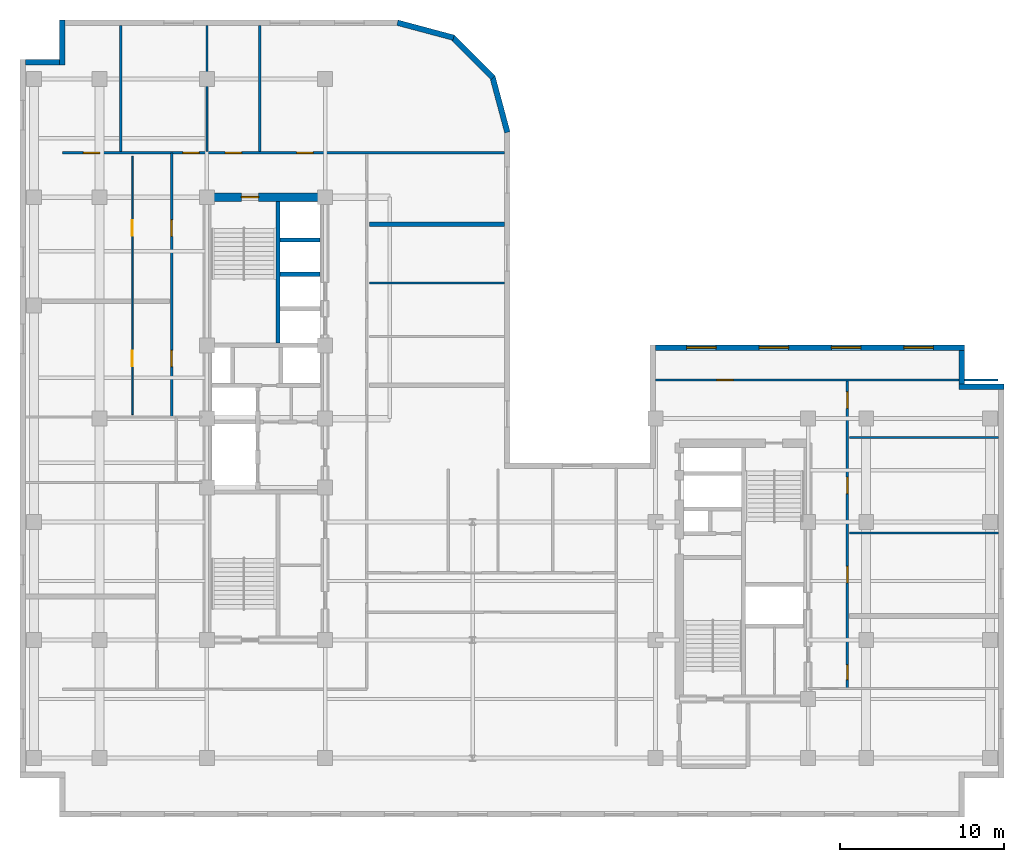
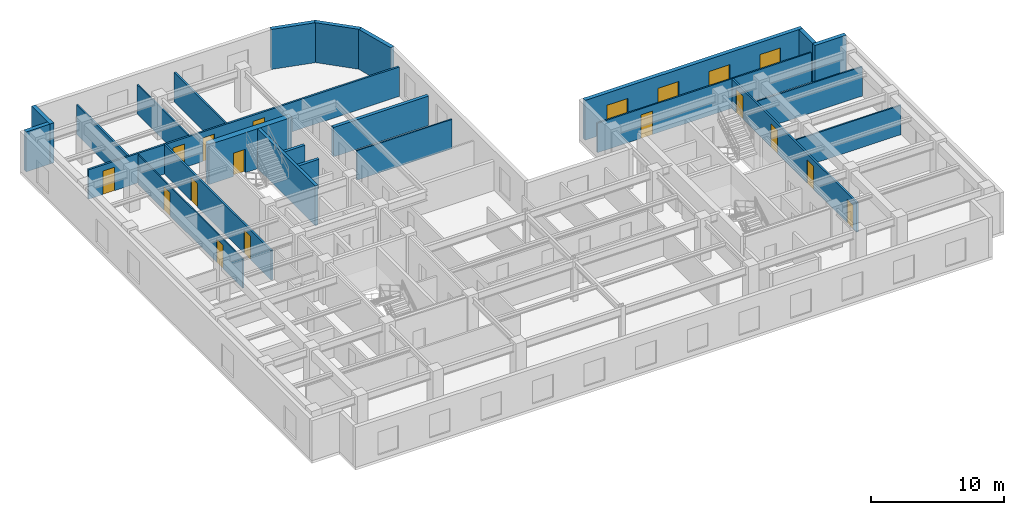
# One storey, part 7 of 11: 24 walls, 14 doors, 4 windows, 18 openings.
"""IFC4 building model written with IfcOpenShell, lengths in metres."""

from ifc_helpers import new_model, entity, si_unit, converted_unit, direction, frame, origin_with_axes, origin_2d_with_axis, place, context, subcontext, project, spatial, polyline, rectangle, outline, extrude, material, layer, layer_set, type_object, element, fill, save


model = new_model("IFC4")

# Units and contexts
model_context = context("Model", 3, precision=1e-05, world=origin_with_axes(), true_north=direction((0.0, 1.0)))
body_context = subcontext(model_context, "Body", "Model", "MODEL_VIEW")
ifc_project = project(units=[si_unit("LENGTHUNIT", "METRE"), si_unit("AREAUNIT", "SQUARE_METRE"), si_unit("VOLUMEUNIT", "CUBIC_METRE"), converted_unit("PLANEANGLEUNIT", "DEGREE", entity("IfcPlaneAngleMeasure", 0.017453292519943295), si_unit("PLANEANGLEUNIT", "RADIAN"), dimensions=[0, 0, 0, 0, 0, 0, 0]), si_unit("MASSUNIT", "GRAM", prefix="KILO"), si_unit("THERMODYNAMICTEMPERATUREUNIT", "KELVIN")], contexts=[model_context])

# Site, building, storey
site_placement = place(None, origin_with_axes())
site = spatial("IfcSite", under=ifc_project, at=site_placement, CompositionType="ELEMENT")
building_placement = place(site_placement, origin_with_axes())
building = spatial("IfcBuilding", under=site, at=building_placement, Name="Varnlund Millrace Tower", CompositionType="ELEMENT")
storey_placement = place(building_placement, frame((0.0, 0.0, 204.3), z_axis=(0.0, 0.0, 1.0), x_axis=(1.0, 0.0, 0.0)))
storey = spatial("IfcBuildingStorey", under=building, at=storey_placement, Name="L50", CompositionType="ELEMENT", Elevation=204.3)

# Wall, opening, door
ifc_material_1 = material(Name="Concrete C70/85", Category="concrete")
ifc_layer_1 = layer(ifc_material_1, 0.5, Name="Concrete C70/85")
ifc_layer_set_1 = layer_set([ifc_layer_1], Name="Concrete C70/85")
wall_type_1 = type_object("IfcWallType", Name="Type-CoreWall-Shear-500-C70", PredefinedType="SHEAR", material=ifc_layer_set_1)
wall_1_placement = place(storey_placement, frame((11.4, 37.8, 0.0), z_axis=(0.0, 0.0, 1.0), x_axis=(1.0, 0.0, 0.0)))
wall_1 = element("IfcWall", 1, at=wall_1_placement, inside=storey, type_object=wall_type_1, Name="Type-CoreWall-Shear-500-C70", PredefinedType="SHEAR", context=body_context, shape_type="SweptSolid", body=[
    extrude(outline(polyline([(0.0, -0.25), (7.2, -0.25), (7.2, 0.25), (0.0, 0.25), (0.0, -0.25)])), origin_with_axes(), (0.0, 0.0, 1.0), 3.66),
])
opening_1_placement = place(wall_1_placement, frame((2.625, 0.0, 0.0), z_axis=(0.0, 0.0, 1.0), x_axis=(1.0, 0.0, 0.0)))
opening_1 = element("IfcOpeningElement", 2, at=opening_1_placement, cuts=wall_1, Name="Opening L50:DR-STA2", PredefinedType="OPENING", context=body_context, shape_type="SweptSolid", body=[
    extrude(rectangle(XDim=1.05, YDim=0.52, at=origin_2d_with_axis()), origin_with_axes(), (0.0, 0.0, 1.0), 2.15),
])
ifc_material_2 = material(Name="Fire-rated hollow steel door", Category="steel")
door_type_1 = type_object("IfcDoorType", Name="Type-FireDoor-Stair-1050X2150", OperationType="NOTDEFINED", PredefinedType="DOOR", material=ifc_material_2)
door_1_placement = place(wall_1_placement, frame((2.625, 0.0, 0.0), z_axis=(0.0, 0.0, 1.0), x_axis=(1.0, 0.0, 0.0)))
door_1 = element("IfcDoor", 3, at=door_1_placement, inside=storey, type_object=door_type_1, Name="Type-FireDoor-Stair-1050X2150", OperationType="SINGLE_SWING_RIGHT", OverallHeight=2.15, OverallWidth=1.05, PredefinedType="DOOR", context=body_context, shape_type="SweptSolid", body=[
    extrude(rectangle(XDim=1.05, YDim=0.09, at=origin_2d_with_axis()), origin_with_axes(), (0.0, 0.0, 1.0), 2.15),
])
fill(opening_1, door_1)

# Wall, openings, windows
ifc_material_3 = material(Name="Precast concrete C50/60", Category="concrete")
ifc_layer_2 = layer(ifc_material_3, 0.34, Name="Precast concrete C50/60")
ifc_layer_set_2 = layer_set([ifc_layer_2], Name="Precast concrete C50/60")
wall_type_2 = type_object("IfcWallType", Name="Type-ExtWall-Precast-Upper-340", PredefinedType="SOLIDWALL", material=ifc_layer_set_2)
wall_2_placement = place(storey_placement, frame((38.74, 28.63, 0.0), z_axis=(0.0, 0.0, 1.0), x_axis=(1.0, 0.0, 0.0)))
wall_2 = element("IfcWall", 4, at=wall_2_placement, inside=storey, type_object=wall_type_2, Name="Type-ExtWall-Precast-Upper-340", PredefinedType="SOLIDWALL", context=body_context, shape_type="SweptSolid", body=[
    extrude(outline(polyline([(0.0, -0.17), (18.86, -0.17), (18.86, 0.17), (0.0, 0.17), (0.0, -0.17)])), origin_with_axes(), (0.0, 0.0, 1.0), 3.66),
])
opening_2_placement = place(wall_2_placement, frame((2.808, 0.0, 0.45), z_axis=(0.0, 0.0, 1.0), x_axis=(1.0, 0.0, 0.0)))
opening_2 = element("IfcOpeningElement", 5, at=opening_2_placement, cuts=wall_2, Name="Opening L50:WN-01", PredefinedType="OPENING", context=body_context, shape_type="SweptSolid", body=[
    extrude(rectangle(XDim=1.8, YDim=0.36, at=origin_2d_with_axis()), origin_with_axes(), (0.0, 0.0, 1.0), 2.1),
])
opening_3_placement = place(wall_2_placement, frame((7.222, 0.0, 0.45), z_axis=(0.0, 0.0, 1.0), x_axis=(1.0, 0.0, 0.0)))
opening_3 = element("IfcOpeningElement", 6, at=opening_3_placement, cuts=wall_2, Name="Opening L50:WN-02", PredefinedType="OPENING", context=body_context, shape_type="SweptSolid", body=[
    extrude(rectangle(XDim=1.8, YDim=0.36, at=origin_2d_with_axis()), origin_with_axes(), (0.0, 0.0, 1.0), 2.1),
])
opening_4_placement = place(wall_2_placement, frame((11.637, 0.0, 0.45), z_axis=(0.0, 0.0, 1.0), x_axis=(1.0, 0.0, 0.0)))
opening_4 = element("IfcOpeningElement", 7, at=opening_4_placement, cuts=wall_2, Name="Opening L50:WN-03", PredefinedType="OPENING", context=body_context, shape_type="SweptSolid", body=[
    extrude(rectangle(XDim=1.8, YDim=0.36, at=origin_2d_with_axis()), origin_with_axes(), (0.0, 0.0, 1.0), 2.1),
])
opening_5_placement = place(wall_2_placement, frame((16.053, 0.0, 0.45), z_axis=(0.0, 0.0, 1.0), x_axis=(1.0, 0.0, 0.0)))
opening_5 = element("IfcOpeningElement", 8, at=opening_5_placement, cuts=wall_2, Name="Opening L50:WN-04", PredefinedType="OPENING", context=body_context, shape_type="SweptSolid", body=[
    extrude(rectangle(XDim=1.8, YDim=0.36, at=origin_2d_with_axis()), origin_with_axes(), (0.0, 0.0, 1.0), 2.1),
])
ifc_material_4 = material(Name="Argon low-e triple glazing in thermally broken bronze frame", Category="glass")
window_type = type_object("IfcWindowType", Name="Type-Window-Punched-1800X2100", PartitioningType="SINGLE_PANEL", PredefinedType="WINDOW", material=ifc_material_4)
window_1_placement = place(wall_2_placement, frame((2.808, 0.0, 0.45), z_axis=(0.0, 0.0, 1.0), x_axis=(1.0, 0.0, 0.0)))
window_1 = element("IfcWindow", 9, at=window_1_placement, inside=storey, type_object=window_type, Name="Type-Window-Punched-1800X2100", OverallHeight=2.1, OverallWidth=1.8, PredefinedType="WINDOW", context=body_context, shape_type="SweptSolid", body=[
    extrude(rectangle(XDim=1.8, YDim=0.09, at=origin_2d_with_axis()), origin_with_axes(), (0.0, 0.0, 1.0), 2.1),
])
fill(opening_2, window_1)
window_2_placement = place(wall_2_placement, frame((7.222, 0.0, 0.45), z_axis=(0.0, 0.0, 1.0), x_axis=(1.0, 0.0, 0.0)))
window_2 = element("IfcWindow", 10, at=window_2_placement, inside=storey, type_object=window_type, Name="Type-Window-Punched-1800X2100", OverallHeight=2.1, OverallWidth=1.8, PredefinedType="WINDOW", context=body_context, shape_type="SweptSolid", body=[
    extrude(rectangle(XDim=1.8, YDim=0.09, at=origin_2d_with_axis()), origin_with_axes(), (0.0, 0.0, 1.0), 2.1),
])
fill(opening_3, window_2)
window_3_placement = place(wall_2_placement, frame((11.637, 0.0, 0.45), z_axis=(0.0, 0.0, 1.0), x_axis=(1.0, 0.0, 0.0)))
window_3 = element("IfcWindow", 11, at=window_3_placement, inside=storey, type_object=window_type, Name="Type-Window-Punched-1800X2100", OverallHeight=2.1, OverallWidth=1.8, PredefinedType="WINDOW", context=body_context, shape_type="SweptSolid", body=[
    extrude(rectangle(XDim=1.8, YDim=0.09, at=origin_2d_with_axis()), origin_with_axes(), (0.0, 0.0, 1.0), 2.1),
])
fill(opening_4, window_3)
window_4_placement = place(wall_2_placement, frame((16.053, 0.0, 0.45), z_axis=(0.0, 0.0, 1.0), x_axis=(1.0, 0.0, 0.0)))
window_4 = element("IfcWindow", 12, at=window_4_placement, inside=storey, type_object=window_type, Name="Type-Window-Punched-1800X2100", OverallHeight=2.1, OverallWidth=1.8, PredefinedType="WINDOW", context=body_context, shape_type="SweptSolid", body=[
    extrude(rectangle(XDim=1.8, YDim=0.09, at=origin_2d_with_axis()), origin_with_axes(), (0.0, 0.0, 1.0), 2.1),
])
fill(opening_5, window_4)

# Walls
wall_3_placement = place(storey_placement, frame((57.43, 28.46, 0.0), z_axis=(0.0, 0.0, 1.0), x_axis=(0.0, -1.0, 0.0)))
element("IfcWall", 13, at=wall_3_placement, inside=storey, type_object=wall_type_2, Name="Type-ExtWall-Precast-Upper-340", PredefinedType="SOLIDWALL", context=body_context, shape_type="SweptSolid", body=[
    extrude(outline(polyline([(0.0, -0.17), (2.06, -0.17), (2.06, 0.17), (0.0, 0.17), (0.0, -0.17)])), origin_with_axes(), (0.0, 0.0, 1.0), 3.66),
])
wall_4_placement = place(storey_placement, frame((57.26, 26.23, 0.0), z_axis=(0.0, 0.0, 1.0), x_axis=(1.0, 0.0, 0.0)))
element("IfcWall", 14, at=wall_4_placement, inside=storey, type_object=wall_type_2, Name="Type-ExtWall-Precast-Upper-340", PredefinedType="SOLIDWALL", context=body_context, shape_type="SweptSolid", body=[
    extrude(outline(polyline([(0.0, -0.17), (2.74, -0.17), (2.74, 0.17), (0.0, 0.17), (0.0, -0.17)])), origin_with_axes(), (0.0, 0.0, 1.0), 3.66),
])
wall_5_placement = place(storey_placement, frame((0.34, 46.03, 0.0), z_axis=(0.0, 0.0, 1.0), x_axis=(1.0, 0.0, 0.0)))
element("IfcWall", 15, at=wall_5_placement, inside=storey, type_object=wall_type_2, Name="Type-ExtWall-Precast-Upper-340", PredefinedType="SOLIDWALL", context=body_context, shape_type="SweptSolid", body=[
    extrude(outline(polyline([(0.0, -0.17), (2.06, -0.17), (2.06, 0.17), (0.0, 0.17), (0.0, -0.17)])), origin_with_axes(), (0.0, 0.0, 1.0), 3.66),
])
wall_6_placement = place(storey_placement, frame((2.57, 45.86, 0.0), z_axis=(0.0, 0.0, 1.0), x_axis=(0.0, 1.0, 0.0)))
element("IfcWall", 16, at=wall_6_placement, inside=storey, type_object=wall_type_2, Name="Type-ExtWall-Precast-Upper-340", PredefinedType="SOLIDWALL", context=body_context, shape_type="SweptSolid", body=[
    extrude(outline(polyline([(0.0, -0.17), (2.74, -0.17), (2.74, 0.17), (0.0, 0.17), (0.0, -0.17)])), origin_with_axes(), (0.0, 0.0, 1.0), 3.66),
])
wall_7_placement = place(storey_placement, frame((23.018, 48.441, 0.0), z_axis=(0.0, 0.0, 1.0), x_axis=(0.965934, -0.258788, 0.0)))
element("IfcWall", 17, at=wall_7_placement, inside=storey, type_object=wall_type_2, Name="Type-ExtWall-Precast-Upper-340", PredefinedType="SOLIDWALL", context=body_context, shape_type="SweptSolid", body=[
    extrude(outline(polyline([(0.0, -0.17), (3.539579, -0.17), (3.539579, 0.17), (0.0, 0.17), (0.0, -0.17)])), origin_with_axes(), (0.0, 0.0, 1.0), 3.66),
])
wall_8_placement = place(storey_placement, frame((26.347, 47.583, 0.0), z_axis=(0.0, 0.0, 1.0), x_axis=(0.707107, -0.707107, 0.0)))
element("IfcWall", 18, at=wall_8_placement, inside=storey, type_object=wall_type_2, Name="Type-ExtWall-Precast-Upper-340", PredefinedType="SOLIDWALL", context=body_context, shape_type="SweptSolid", body=[
    extrude(outline(polyline([(0.0, -0.17), (3.539777, -0.17), (3.539777, 0.17), (0.0, 0.17), (0.0, -0.17)])), origin_with_axes(), (0.0, 0.0, 1.0), 3.66),
])
wall_9_placement = place(storey_placement, frame((28.801, 45.175, 0.0), z_axis=(0.0, 0.0, 1.0), x_axis=(0.258788, -0.965934, 0.0)))
element("IfcWall", 19, at=wall_9_placement, inside=storey, type_object=wall_type_2, Name="Type-ExtWall-Precast-Upper-340", PredefinedType="SOLIDWALL", context=body_context, shape_type="SweptSolid", body=[
    extrude(outline(polyline([(0.0, -0.17), (3.539579, -0.17), (3.539579, 0.17), (0.0, 0.17), (0.0, -0.17)])), origin_with_axes(), (0.0, 0.0, 1.0), 3.66),
])
ifc_material_5 = material(Name="Double-stud STC-60 conference acoustic partition", Category="gypsum")
ifc_layer_3 = layer(ifc_material_5, 0.28, Name="Double-stud STC-60 conference acoustic partition")
ifc_layer_set_3 = layer_set([ifc_layer_3], Name="Double-stud STC-60 conference acoustic partition")
wall_type_3 = type_object("IfcWallType", Name="Type-Partition-Acoustic-280", PredefinedType="PARTITIONING", material=ifc_layer_set_3)
wall_10_placement = place(storey_placement, frame((21.3, 36.163, 0.0), z_axis=(0.0, 0.0, 1.0), x_axis=(1.0, 0.0, 0.0)))
element("IfcWall", 20, at=wall_10_placement, inside=storey, type_object=wall_type_3, Name="Type-Partition-Acoustic-280", PredefinedType="PARTITIONING", context=body_context, shape_type="SweptSolid", body=[
    extrude(outline(polyline([(0.0, -0.14), (8.246, -0.14), (8.246, 0.14), (0.0, 0.14), (0.0, -0.14)])), origin_with_axes(), (0.0, 0.0, 1.0), 2.7),
])

# Wall, openings, doors
ifc_material_6 = material(Name="Fire-rated gypsum board on cold-formed steel framing", Category="steel")
ifc_layer_4 = layer(ifc_material_6, 0.16, Name="Fire-rated gypsum board on cold-formed steel framing")
ifc_layer_set_4 = layer_set([ifc_layer_4], Name="Fire-rated gypsum board on cold-formed steel framing")
wall_type_4 = type_object("IfcWallType", Name="Type-Partition-Corridor-160", PredefinedType="PARTITIONING", material=ifc_layer_set_4)
wall_11_placement = place(storey_placement, frame((2.6, 40.5, 0.0), z_axis=(0.0, 0.0, 1.0), x_axis=(1.0, 0.0, 0.0)))
wall_11 = element("IfcWall", 21, at=wall_11_placement, inside=storey, type_object=wall_type_4, Name="Type-Partition-Corridor-160", PredefinedType="PARTITIONING", context=body_context, shape_type="SweptSolid", body=[
    extrude(outline(polyline([(0.0, -0.08), (26.946, -0.08), (26.946, 0.08), (0.0, 0.08), (0.0, -0.08)])), origin_with_axes(), (0.0, 0.0, 1.0), 2.7),
])
opening_6_placement = place(wall_11_placement, frame((1.7685, 0.0, 0.0), z_axis=(0.0, 0.0, 1.0), x_axis=(1.0, 0.0, 0.0)))
opening_6 = element("IfcOpeningElement", 22, at=opening_6_placement, cuts=wall_11, Name="Opening L50:DR-WAN-01", PredefinedType="OPENING", context=body_context, shape_type="SweptSolid", body=[
    extrude(rectangle(XDim=1.0, YDim=0.18, at=origin_2d_with_axis()), origin_with_axes(), (0.0, 0.0, 1.0), 2.15),
])
opening_7_placement = place(wall_11_placement, frame((7.824, 0.0, 0.0), z_axis=(0.0, 0.0, 1.0), x_axis=(1.0, 0.0, 0.0)))
opening_7 = element("IfcOpeningElement", 23, at=opening_7_placement, cuts=wall_11, Name="Opening L50:DR-WAN-02", PredefinedType="OPENING", context=body_context, shape_type="SweptSolid", body=[
    extrude(rectangle(XDim=1.0, YDim=0.18, at=origin_2d_with_axis()), origin_with_axes(), (0.0, 0.0, 1.0), 2.15),
])
opening_8_placement = place(wall_11_placement, frame((10.411, 0.0, 0.0), z_axis=(0.0, 0.0, 1.0), x_axis=(1.0, 0.0, 0.0)))
opening_8 = element("IfcOpeningElement", 24, at=opening_8_placement, cuts=wall_11, Name="Opening L50:DR-WAN-03", PredefinedType="OPENING", context=body_context, shape_type="SweptSolid", body=[
    extrude(rectangle(XDim=1.0, YDim=0.18, at=origin_2d_with_axis()), origin_with_axes(), (0.0, 0.0, 1.0), 2.15),
])
opening_9_placement = place(wall_11_placement, frame((14.771, 0.0, 0.0), z_axis=(0.0, 0.0, 1.0), x_axis=(1.0, 0.0, 0.0)))
opening_9 = element("IfcOpeningElement", 25, at=opening_9_placement, cuts=wall_11, Name="Opening L50:DR-WAN-04", PredefinedType="OPENING", context=body_context, shape_type="SweptSolid", body=[
    extrude(rectangle(XDim=1.0, YDim=0.18, at=origin_2d_with_axis()), origin_with_axes(), (0.0, 0.0, 1.0), 2.15),
])
ifc_material_7 = material(Name="Solid-core white oak and bronze frame door")
door_type_2 = type_object("IfcDoorType", Name="Type-IntDoor-Office-1000X2150", OperationType="NOTDEFINED", PredefinedType="DOOR", material=ifc_material_7)
door_2_placement = place(wall_11_placement, frame((1.7685, 0.0, 0.0), z_axis=(0.0, 0.0, 1.0), x_axis=(1.0, 0.0, 0.0)))
door_2 = element("IfcDoor", 26, at=door_2_placement, inside=storey, type_object=door_type_2, Name="Type-IntDoor-Office-1000X2150", OperationType="SINGLE_SWING_LEFT", OverallHeight=2.15, OverallWidth=1.0, PredefinedType="DOOR", context=body_context, shape_type="SweptSolid", body=[
    extrude(rectangle(XDim=1.0, YDim=0.09, at=origin_2d_with_axis()), origin_with_axes(), (0.0, 0.0, 1.0), 2.15),
])
fill(opening_6, door_2)
door_3_placement = place(wall_11_placement, frame((7.824, 0.0, 0.0), z_axis=(0.0, 0.0, 1.0), x_axis=(1.0, 0.0, 0.0)))
door_3 = element("IfcDoor", 27, at=door_3_placement, inside=storey, type_object=door_type_2, Name="Type-IntDoor-Office-1000X2150", OperationType="SINGLE_SWING_RIGHT", OverallHeight=2.15, OverallWidth=1.0, PredefinedType="DOOR", context=body_context, shape_type="SweptSolid", body=[
    extrude(rectangle(XDim=1.0, YDim=0.09, at=origin_2d_with_axis()), origin_with_axes(), (0.0, 0.0, 1.0), 2.15),
])
fill(opening_7, door_3)
door_4_placement = place(wall_11_placement, frame((10.411, 0.0, 0.0), z_axis=(0.0, 0.0, 1.0), x_axis=(1.0, 0.0, 0.0)))
door_4 = element("IfcDoor", 28, at=door_4_placement, inside=storey, type_object=door_type_2, Name="Type-IntDoor-Office-1000X2150", OperationType="SINGLE_SWING_LEFT", OverallHeight=2.15, OverallWidth=1.0, PredefinedType="DOOR", context=body_context, shape_type="SweptSolid", body=[
    extrude(rectangle(XDim=1.0, YDim=0.09, at=origin_2d_with_axis()), origin_with_axes(), (0.0, 0.0, 1.0), 2.15),
])
fill(opening_8, door_4)
door_5_placement = place(wall_11_placement, frame((14.771, 0.0, 0.0), z_axis=(0.0, 0.0, 1.0), x_axis=(1.0, 0.0, 0.0)))
door_5 = element("IfcDoor", 29, at=door_5_placement, inside=storey, type_object=door_type_2, Name="Type-IntDoor-Office-1000X2150", OperationType="SINGLE_SWING_RIGHT", OverallHeight=2.15, OverallWidth=1.0, PredefinedType="DOOR", context=body_context, shape_type="SweptSolid", body=[
    extrude(rectangle(XDim=1.0, YDim=0.09, at=origin_2d_with_axis()), origin_with_axes(), (0.0, 0.0, 1.0), 2.15),
])
fill(opening_9, door_5)

wall_12_placement = place(storey_placement, frame((9.25, 24.4, 0.0), z_axis=(0.0, 0.0, 1.0), x_axis=(0.0, 1.0, 0.0)))
wall_12 = element("IfcWall", 30, at=wall_12_placement, inside=storey, type_object=wall_type_4, Name="Type-Partition-Corridor-160", PredefinedType="PARTITIONING", context=body_context, shape_type="SweptSolid", body=[
    extrude(outline(polyline([(0.0, -0.08), (16.1, -0.08), (16.1, 0.08), (0.0, 0.08), (0.0, -0.08)])), origin_with_axes(), (0.0, 0.0, 1.0), 2.7),
])
opening_10_placement = place(wall_12_placement, frame((3.5675, 0.0, 0.0), z_axis=(0.0, 0.0, 1.0), x_axis=(1.0, 0.0, 0.0)))
opening_10 = element("IfcOpeningElement", 31, at=opening_10_placement, cuts=wall_12, Name="Opening L50:DR-WN-01", PredefinedType="OPENING", context=body_context, shape_type="SweptSolid", body=[
    extrude(rectangle(XDim=1.0, YDim=0.18, at=origin_2d_with_axis()), origin_with_axes(), (0.0, 0.0, 1.0), 2.15),
])
opening_11_placement = place(wall_12_placement, frame((11.5125, 0.0, 0.0), z_axis=(0.0, 0.0, 1.0), x_axis=(1.0, 0.0, 0.0)))
opening_11 = element("IfcOpeningElement", 32, at=opening_11_placement, cuts=wall_12, Name="Opening L50:DR-WN-02", PredefinedType="OPENING", context=body_context, shape_type="SweptSolid", body=[
    extrude(rectangle(XDim=1.0, YDim=0.18, at=origin_2d_with_axis()), origin_with_axes(), (0.0, 0.0, 1.0), 2.15),
])
door_6_placement = place(wall_12_placement, frame((3.5675, 0.0, 0.0), z_axis=(0.0, 0.0, 1.0), x_axis=(1.0, 0.0, 0.0)))
door_6 = element("IfcDoor", 33, at=door_6_placement, inside=storey, type_object=door_type_2, Name="Type-IntDoor-Office-1000X2150", OperationType="SINGLE_SWING_LEFT", OverallHeight=2.15, OverallWidth=1.0, PredefinedType="DOOR", context=body_context, shape_type="SweptSolid", body=[
    extrude(rectangle(XDim=1.0, YDim=0.09, at=origin_2d_with_axis()), origin_with_axes(), (0.0, 0.0, 1.0), 2.15),
])
fill(opening_10, door_6)
door_7_placement = place(wall_12_placement, frame((11.5125, 0.0, 0.0), z_axis=(0.0, 0.0, 1.0), x_axis=(1.0, 0.0, 0.0)))
door_7 = element("IfcDoor", 34, at=door_7_placement, inside=storey, type_object=door_type_2, Name="Type-IntDoor-Office-1000X2150", OperationType="SINGLE_SWING_RIGHT", OverallHeight=2.15, OverallWidth=1.0, PredefinedType="DOOR", context=body_context, shape_type="SweptSolid", body=[
    extrude(rectangle(XDim=1.0, YDim=0.09, at=origin_2d_with_axis()), origin_with_axes(), (0.0, 0.0, 1.0), 2.15),
])
fill(opening_11, door_7)

wall_13_placement = place(storey_placement, frame((50.45, 7.85, 0.0), z_axis=(0.0, 0.0, 1.0), x_axis=(0.0, 1.0, 0.0)))
wall_13 = element("IfcWall", 35, at=wall_13_placement, inside=storey, type_object=wall_type_4, Name="Type-Partition-Corridor-160", PredefinedType="PARTITIONING", context=body_context, shape_type="SweptSolid", body=[
    extrude(outline(polyline([(0.0, -0.08), (18.8, -0.08), (18.8, 0.08), (0.0, 0.08), (0.0, -0.08)])), origin_with_axes(), (0.0, 0.0, 1.0), 2.7),
])
opening_12_placement = place(wall_13_placement, frame((0.987, 0.0, 0.0), z_axis=(0.0, 0.0, 1.0), x_axis=(1.0, 0.0, 0.0)))
opening_12 = element("IfcOpeningElement", 36, at=opening_12_placement, cuts=wall_13, Name="Opening L50:DR-WB-01", PredefinedType="OPENING", context=body_context, shape_type="SweptSolid", body=[
    extrude(rectangle(XDim=0.9, YDim=0.18, at=origin_2d_with_axis()), origin_with_axes(), (0.0, 0.0, 1.0), 2.15),
])
opening_13_placement = place(wall_13_placement, frame((6.94, 0.0, 0.0), z_axis=(0.0, 0.0, 1.0), x_axis=(1.0, 0.0, 0.0)))
opening_13 = element("IfcOpeningElement", 37, at=opening_13_placement, cuts=wall_13, Name="Opening L50:DR-WB-02", PredefinedType="OPENING", context=body_context, shape_type="SweptSolid", body=[
    extrude(rectangle(XDim=1.0, YDim=0.18, at=origin_2d_with_axis()), origin_with_axes(), (0.0, 0.0, 1.0), 2.15),
])
opening_14_placement = place(wall_13_placement, frame((12.3795, 0.0, 0.0), z_axis=(0.0, 0.0, 1.0), x_axis=(1.0, 0.0, 0.0)))
opening_14 = element("IfcOpeningElement", 38, at=opening_14_placement, cuts=wall_13, Name="Opening L50:DR-WB-03", PredefinedType="OPENING", context=body_context, shape_type="SweptSolid", body=[
    extrude(rectangle(XDim=1.0, YDim=0.18, at=origin_2d_with_axis()), origin_with_axes(), (0.0, 0.0, 1.0), 2.15),
])
opening_15_placement = place(wall_13_placement, frame((17.576, 0.0, 0.0), z_axis=(0.0, 0.0, 1.0), x_axis=(1.0, 0.0, 0.0)))
opening_15 = element("IfcOpeningElement", 39, at=opening_15_placement, cuts=wall_13, Name="Opening L50:DR-WB-04", PredefinedType="OPENING", context=body_context, shape_type="SweptSolid", body=[
    extrude(rectangle(XDim=1.0, YDim=0.18, at=origin_2d_with_axis()), origin_with_axes(), (0.0, 0.0, 1.0), 2.15),
])
ifc_material_8 = material(Name="Painted steel riser and closet door", Category="steel")
door_type_3 = type_object("IfcDoorType", Name="Type-IntDoor-Closet-900X2150", OperationType="NOTDEFINED", PredefinedType="DOOR", material=ifc_material_8)
door_8_placement = place(wall_13_placement, frame((0.987, 0.0, 0.0), z_axis=(0.0, 0.0, 1.0), x_axis=(1.0, 0.0, 0.0)))
door_8 = element("IfcDoor", 40, at=door_8_placement, inside=storey, type_object=door_type_3, Name="Type-IntDoor-Closet-900X2150", OperationType="SINGLE_SWING_LEFT", OverallHeight=2.15, OverallWidth=0.9, PredefinedType="DOOR", context=body_context, shape_type="SweptSolid", body=[
    extrude(rectangle(XDim=0.9, YDim=0.09, at=origin_2d_with_axis()), origin_with_axes(), (0.0, 0.0, 1.0), 2.15),
])
fill(opening_12, door_8)
door_9_placement = place(wall_13_placement, frame((6.94, 0.0, 0.0), z_axis=(0.0, 0.0, 1.0), x_axis=(1.0, 0.0, 0.0)))
door_9 = element("IfcDoor", 41, at=door_9_placement, inside=storey, type_object=door_type_2, Name="Type-IntDoor-Office-1000X2150", OperationType="SINGLE_SWING_RIGHT", OverallHeight=2.15, OverallWidth=1.0, PredefinedType="DOOR", context=body_context, shape_type="SweptSolid", body=[
    extrude(rectangle(XDim=1.0, YDim=0.09, at=origin_2d_with_axis()), origin_with_axes(), (0.0, 0.0, 1.0), 2.15),
])
fill(opening_13, door_9)
door_10_placement = place(wall_13_placement, frame((12.3795, 0.0, 0.0), z_axis=(0.0, 0.0, 1.0), x_axis=(1.0, 0.0, 0.0)))
door_10 = element("IfcDoor", 42, at=door_10_placement, inside=storey, type_object=door_type_2, Name="Type-IntDoor-Office-1000X2150", OperationType="SINGLE_SWING_LEFT", OverallHeight=2.15, OverallWidth=1.0, PredefinedType="DOOR", context=body_context, shape_type="SweptSolid", body=[
    extrude(rectangle(XDim=1.0, YDim=0.09, at=origin_2d_with_axis()), origin_with_axes(), (0.0, 0.0, 1.0), 2.15),
])
fill(opening_14, door_10)
door_11_placement = place(wall_13_placement, frame((17.576, 0.0, 0.0), z_axis=(0.0, 0.0, 1.0), x_axis=(1.0, 0.0, 0.0)))
door_11 = element("IfcDoor", 43, at=door_11_placement, inside=storey, type_object=door_type_2, Name="Type-IntDoor-Office-1000X2150", OperationType="SINGLE_SWING_RIGHT", OverallHeight=2.15, OverallWidth=1.0, PredefinedType="DOOR", context=body_context, shape_type="SweptSolid", body=[
    extrude(rectangle(XDim=1.0, YDim=0.09, at=origin_2d_with_axis()), origin_with_axes(), (0.0, 0.0, 1.0), 2.15),
])
fill(opening_15, door_11)

# Walls
ifc_material_9 = material(Name="Acoustic STC-50 gypsum board partition", Category="gypsum")
ifc_layer_5 = layer(ifc_material_9, 0.15, Name="Acoustic STC-50 gypsum board partition")
ifc_layer_set_5 = layer_set([ifc_layer_5], Name="Acoustic STC-50 gypsum board partition")
wall_type_5 = type_object("IfcWallType", Name="Type-Partition-Demising-150", PredefinedType="PARTITIONING", material=ifc_layer_set_5)
for number, where, z_axis, x_axis, name in (
    (44, (6.147, 40.6, 0.0), (0.0, 0.0, 1.0), (0.0, 1.0, 0.0), "Type-Partition-Demising-150"),
    (45, (14.622, 40.6, 0.0), (0.0, 0.0, 1.0), (0.0, 1.0, 0.0), "Type-Partition-Demising-150"),
):
    element("IfcWall", number, at=place(storey_placement, frame(where, z_axis=z_axis, x_axis=x_axis)), inside=storey, type_object=wall_type_5, Name=name, PredefinedType="PARTITIONING", context=body_context, shape_type="SweptSolid", body=[
        extrude(outline(polyline([(0.0, -0.075), (7.665, -0.075), (7.665, 0.075), (0.0, 0.075), (0.0, -0.075)])), origin_with_axes(), (0.0, 0.0, 1.0), 2.7),
    ])

# Wall, openings, doors
ifc_material_10 = material(Name="Architectural bronze and acoustic glass office front", Category="glass")
ifc_layer_6 = layer(ifc_material_10, 0.1, Name="Architectural bronze and acoustic glass office front")
ifc_layer_set_6 = layer_set([ifc_layer_6], Name="Architectural bronze and acoustic glass office front")
wall_type_6 = type_object("IfcWallType", Name="Type-Partition-Glazed-100", PredefinedType="PARTITIONING", material=ifc_layer_set_6)
wall_14_placement = place(storey_placement, frame((6.85, 24.55, 0.0), z_axis=(0.0, 0.0, 1.0), x_axis=(0.0, 1.0, 0.0)))
wall_14 = element("IfcWall", 46, at=wall_14_placement, inside=storey, type_object=wall_type_6, Name="Type-Partition-Glazed-100", PredefinedType="PARTITIONING", context=body_context, shape_type="SweptSolid", body=[
    extrude(outline(polyline([(0.0, -0.05), (15.75, -0.05), (15.75, 0.05), (0.0, 0.05), (0.0, -0.05)])), origin_with_axes(), (0.0, 0.0, 1.0), 2.7),
])
opening_16_placement = place(wall_14_placement, frame((3.4175, 0.0, 0.0), z_axis=(0.0, 0.0, 1.0), x_axis=(1.0, 0.0, 0.0)))
opening_16 = element("IfcOpeningElement", 47, at=opening_16_placement, cuts=wall_14, Name="Opening L50:DR-WN-S01", PredefinedType="OPENING", context=body_context, shape_type="SweptSolid", body=[
    extrude(rectangle(XDim=0.95, YDim=0.12, at=origin_2d_with_axis()), origin_with_axes(), (0.0, 0.0, 1.0), 2.15),
])
opening_17_placement = place(wall_14_placement, frame((11.3625, 0.0, 0.0), z_axis=(0.0, 0.0, 1.0), x_axis=(1.0, 0.0, 0.0)))
opening_17 = element("IfcOpeningElement", 48, at=opening_17_placement, cuts=wall_14, Name="Opening L50:DR-WN-S02", PredefinedType="OPENING", context=body_context, shape_type="SweptSolid", body=[
    extrude(rectangle(XDim=0.95, YDim=0.12, at=origin_2d_with_axis()), origin_with_axes(), (0.0, 0.0, 1.0), 2.15),
])
ifc_material_11 = material(Name="Solid-core acoustic office door")
door_type_4 = type_object("IfcDoorType", Name="Type-IntDoor-Tenant-950X2150", OperationType="NOTDEFINED", PredefinedType="DOOR", material=ifc_material_11)
door_12_placement = place(wall_14_placement, frame((3.4175, 0.0, 0.0), z_axis=(0.0, 0.0, 1.0), x_axis=(1.0, 0.0, 0.0)))
door_12 = element("IfcDoor", 49, at=door_12_placement, inside=storey, type_object=door_type_4, Name="Type-IntDoor-Tenant-950X2150", OperationType="SINGLE_SWING_LEFT", OverallHeight=2.15, OverallWidth=0.95, PredefinedType="DOOR", context=body_context, shape_type="SweptSolid", body=[
    extrude(rectangle(XDim=0.95, YDim=0.06, at=origin_2d_with_axis()), origin_with_axes(), (0.0, 0.0, 1.0), 2.15),
])
fill(opening_16, door_12)
door_13_placement = place(wall_14_placement, frame((11.3625, 0.0, 0.0), z_axis=(0.0, 0.0, 1.0), x_axis=(1.0, 0.0, 0.0)))
door_13 = element("IfcDoor", 50, at=door_13_placement, inside=storey, type_object=door_type_4, Name="Type-IntDoor-Tenant-950X2150", OperationType="SINGLE_SWING_LEFT", OverallHeight=2.15, OverallWidth=0.95, PredefinedType="DOOR", context=body_context, shape_type="SweptSolid", body=[
    extrude(rectangle(XDim=0.95, YDim=0.06, at=origin_2d_with_axis()), origin_with_axes(), (0.0, 0.0, 1.0), 2.15),
])
fill(opening_17, door_13)

# Walls
ifc_material_12 = material(Name="Gypsum board tenant partition", Category="gypsum")
ifc_layer_7 = layer(ifc_material_12, 0.125, Name="Gypsum board tenant partition")
ifc_layer_set_7 = layer_set([ifc_layer_7], Name="Gypsum board tenant partition")
wall_type_7 = type_object("IfcWallType", Name="Type-Partition-Tenant-125", PredefinedType="PARTITIONING", material=ifc_layer_set_7)
wall_15_placement = place(storey_placement, frame((11.4, 40.6, 0.0), z_axis=(0.0, 0.0, 1.0), x_axis=(0.0, 1.0, 0.0)))
element("IfcWall", 51, at=wall_15_placement, inside=storey, type_object=wall_type_7, Name="Type-Partition-Tenant-125", PredefinedType="PARTITIONING", context=body_context, shape_type="SweptSolid", body=[
    extrude(outline(polyline([(0.0, -0.0625), (7.665, -0.0625), (7.665, 0.0625), (0.0, 0.0625), (0.0, -0.0625)])), origin_with_axes(), (0.0, 0.0, 1.0), 2.7),
])
wall_16_placement = place(storey_placement, frame((21.3, 32.565, 0.0), z_axis=(0.0, 0.0, 1.0), x_axis=(1.0, 0.0, 0.0)))
element("IfcWall", 52, at=wall_16_placement, inside=storey, type_object=wall_type_7, Name="Type-Partition-Tenant-125", PredefinedType="PARTITIONING", context=body_context, shape_type="SweptSolid", body=[
    extrude(outline(polyline([(0.0, -0.0625), (8.246, -0.0625), (8.246, 0.0625), (0.0, 0.0625), (0.0, -0.0625)])), origin_with_axes(), (0.0, 0.0, 1.0), 2.7),
])

# Wall, opening, door
wall_17_placement = place(storey_placement, frame((38.735, 26.65, 0.0), z_axis=(0.0, 0.0, 1.0), x_axis=(1.0, 0.0, 0.0)))
wall_17 = element("IfcWall", 53, at=wall_17_placement, inside=storey, type_object=wall_type_7, Name="Type-Partition-Tenant-125", PredefinedType="PARTITIONING", context=body_context, shape_type="SweptSolid", body=[
    extrude(outline(polyline([(0.0, -0.0625), (20.905, -0.0625), (20.905, 0.0625), (0.0, 0.0625), (0.0, -0.0625)])), origin_with_axes(), (0.0, 0.0, 1.0), 2.7),
])
opening_18_placement = place(wall_17_placement, frame((4.265, 0.0, 0.0), z_axis=(0.0, 0.0, 1.0), x_axis=(1.0, 0.0, 0.0)))
opening_18 = element("IfcOpeningElement", 54, at=opening_18_placement, cuts=wall_17, Name="Opening L50:DR-WBN-01", PredefinedType="OPENING", context=body_context, shape_type="SweptSolid", body=[
    extrude(rectangle(XDim=1.0, YDim=0.145, at=origin_2d_with_axis()), origin_with_axes(), (0.0, 0.0, 1.0), 2.15),
])
door_14_placement = place(wall_17_placement, frame((4.265, 0.0, 0.0), z_axis=(0.0, 0.0, 1.0), x_axis=(1.0, 0.0, 0.0)))
door_14 = element("IfcDoor", 55, at=door_14_placement, inside=storey, type_object=door_type_2, Name="Type-IntDoor-Office-1000X2150", OperationType="SINGLE_SWING_RIGHT", OverallHeight=2.15, OverallWidth=1.0, PredefinedType="DOOR", context=body_context, shape_type="SweptSolid", body=[
    extrude(rectangle(XDim=1.0, YDim=0.075, at=origin_2d_with_axis()), origin_with_axes(), (0.0, 0.0, 1.0), 2.15),
])
fill(opening_18, door_14)

# Walls
for number, where, z_axis, x_axis, name in (
    (56, (50.57, 17.316, 0.0), (0.0, 0.0, 1.0), (1.0, 0.0, 0.0), "Type-Partition-Tenant-125"),
    (57, (50.57, 23.143, 0.0), (0.0, 0.0, 1.0), (1.0, 0.0, 0.0), "Type-Partition-Tenant-125"),
):
    element("IfcWall", number, at=place(storey_placement, frame(where, z_axis=z_axis, x_axis=x_axis)), inside=storey, type_object=wall_type_7, Name=name, PredefinedType="PARTITIONING", context=body_context, shape_type="SweptSolid", body=[
        extrude(outline(polyline([(0.0, -0.0625), (9.095, -0.0625), (9.095, 0.0625), (0.0, 0.0625), (0.0, -0.0625)])), origin_with_axes(), (0.0, 0.0, 1.0), 2.7),
    ])
ifc_material_13 = material(Name="Concrete C60/75", Category="concrete")
ifc_layer_8 = layer(ifc_material_13, 0.25, Name="Concrete C60/75")
ifc_layer_set_8 = layer_set([ifc_layer_8], Name="Concrete C60/75")
wall_type_8 = type_object("IfcWallType", Name="Type-ShaftWall-Fire-250", PredefinedType="SOLIDWALL", material=ifc_layer_set_8)
for number, where, z_axis, x_axis, name in (
    (58, (15.84, 33.1, 0.0), (0.0, 0.0, 1.0), (1.0, 0.0, 0.0), "Type-ShaftWall-Fire-250"),
    (59, (15.84, 35.2, 0.0), (0.0, 0.0, 1.0), (1.0, 0.0, 0.0), "Type-ShaftWall-Fire-250"),
):
    element("IfcWall", number, at=place(storey_placement, frame(where, z_axis=z_axis, x_axis=x_axis)), inside=storey, type_object=wall_type_8, Name=name, PredefinedType="SOLIDWALL", context=body_context, shape_type="SweptSolid", body=[
        extrude(outline(polyline([(0.0, -0.125), (2.46, -0.125), (2.46, 0.125), (0.0, 0.125), (0.0, -0.125)])), origin_with_axes(), (0.0, 0.0, 1.0), 2.7),
    ])
wall_type_9 = type_object("IfcWallType", Name="Type-StairWall-Shear-250", PredefinedType="SHEAR", material=ifc_layer_set_8)
wall_18_placement = place(storey_placement, frame((15.725, 28.9, 0.0), z_axis=(0.0, 0.0, 1.0), x_axis=(0.0, 1.0, 0.0)))
element("IfcWall", 60, at=wall_18_placement, inside=storey, type_object=wall_type_9, Name="Type-StairWall-Shear-250", PredefinedType="SHEAR", context=body_context, shape_type="SweptSolid", body=[
    extrude(outline(polyline([(0.0, -0.125), (8.65, -0.125), (8.65, 0.125), (0.0, 0.125), (0.0, -0.125)])), origin_with_axes(), (0.0, 0.0, 1.0), 3.66),
])

save(model, "model.ifc")
